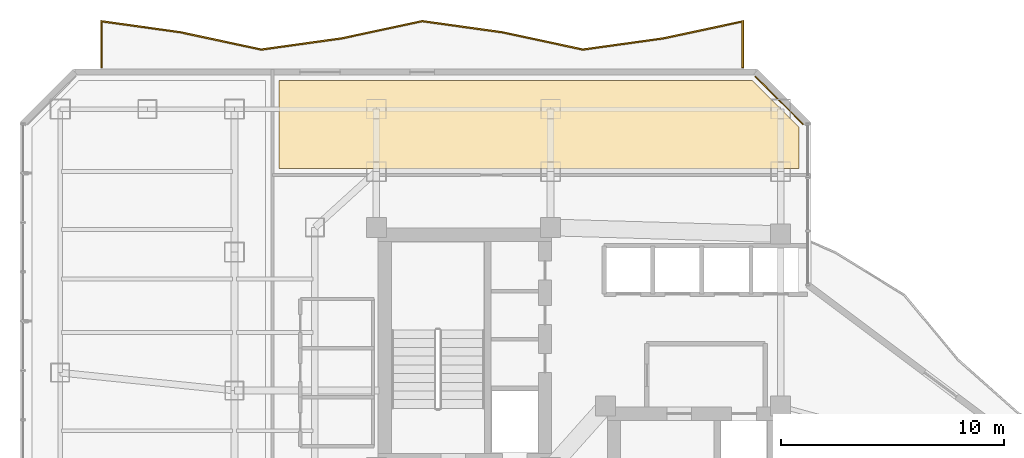
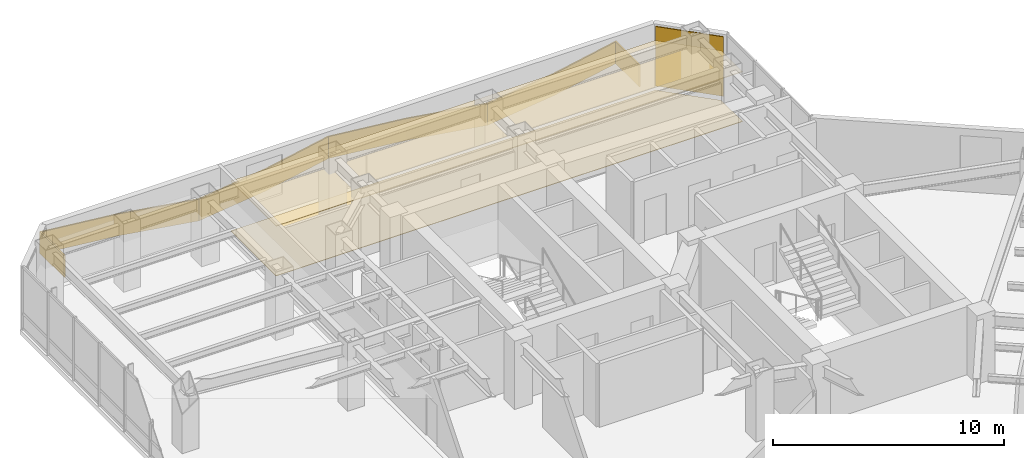
# One storey, part 29 of 29: 3 coverings, 1 railing.
"""IFC4 building model written with IfcOpenShell, lengths in metres."""

from ifc_helpers import new_model, si_unit, direction, frame, origin, origin_2d, place, context, subcontext, project, spatial, polyline, rectangle, outline, extrude, material, layer, layer_set, type_object, element, save


model = new_model("IFC4")

# Units and contexts
model_context = context("Model", 3, precision=1e-05, world=origin(), true_north=direction((0.0, 1.0)))
body_context = subcontext(model_context, "Body", "Model", "MODEL_VIEW")
ifc_project = project(units=[si_unit("LENGTHUNIT", "METRE"), si_unit("AREAUNIT", "SQUARE_METRE"), si_unit("VOLUMEUNIT", "CUBIC_METRE"), si_unit("PLANEANGLEUNIT", "RADIAN"), si_unit("MASSUNIT", "GRAM", prefix="KILO")], contexts=[model_context])

# Site, building, storey
site_placement = place(None, origin())
site = spatial("IfcSite", under=ifc_project, at=site_placement, CompositionType="ELEMENT")
building_placement = place(site_placement, origin())
building = spatial("IfcBuilding", under=site, at=building_placement, Name="Hatsunagi Terrace Concourse", CompositionType="ELEMENT")
storey_placement = place(building_placement, frame((0.0, 0.0, 126.449951171875)))
storey = spatial("IfcBuildingStorey", under=building, at=storey_placement, Name="L33", CompositionType="ELEMENT", Elevation=126.449951171875)

# Railing
ifc_material_1 = material(Name="Laminated Glass and Stainless Steel Guard", Category="steel")
ifc_layer_1 = layer(ifc_material_1, 0.070068359375)
ifc_layer_set_1 = layer_set([ifc_layer_1], Name="BalconyGlassGuardRail_1150")
railing_type = type_object("IfcRailingType", Name="BalconyGlassGuardRail_1150", PredefinedType="BALUSTRADE", material=ifc_layer_set_1)
railing_placement = place(storey_placement, origin())
element("IfcRailing", 1, at=railing_placement, inside=storey, type_object=railing_type, Name="Engawa Balcony Guard GRD-01 L33-BN-1", PredefinedType="BALUSTRADE", context=body_context, shape_type="SweptSolid", body=[
    extrude(outline(polyline([(13.215087890625, 50.449951171875), (13.284912109375, 50.449951171875), (13.284912109375, 52.48876953125), (16.784912109375, 52.00146484375), (20.396728515625, 51.2275390625), (24.01513671875, 51.7314453125), (27.603271484375, 52.49951171875), (31.184814453125, 52.00146484375), (34.796630859375, 51.2275390625), (38.4150390625, 51.7314453125), (41.9150390625, 52.480712890625), (41.9150390625, 50.449951171875), (41.985107421875, 50.449951171875), (41.985107421875, 52.5673828125), (38.40283203125, 51.800537109375), (34.79931640625, 51.298583984375), (31.197021484375, 52.070556640625), (27.6005859375, 52.570556640625), (24.0029296875, 51.800537109375), (20.3994140625, 51.298583984375), (16.797119140625, 52.070556640625), (13.215087890625, 52.569091796875), (13.215087890625, 50.449951171875)])), origin(), (0.0, 0.0, 1.0), 1.150146484375),
])

# Coverings
ifc_material_2 = material(Name="Granite stone paving", Category="masonry")
ifc_layer_2 = layer(ifc_material_2, 0.02490234375)
ifc_layer_set_2 = layer_set([ifc_layer_2], Name="GraniteStoneFlooring_25")
covering_type_1 = type_object("IfcCoveringType", Name="GraniteStoneFlooring_25", PredefinedType="FLOORING", material=ifc_layer_set_2)
covering_1_placement = place(storey_placement, origin())
element("IfcCovering", 2, at=covering_1_placement, inside=storey, type_object=covering_type_1, Name="Finished Flooring L33-2", PredefinedType="FLOORING", context=body_context, shape_type="SweptSolid", body=[
    extrude(outline(polyline([(42.3798828125, 49.8701171875), (21.199951171875, 49.8701171875), (21.199951171875, 45.949951171875), (44.469970703125, 45.949951171875), (44.469970703125, 47.780029296875), (42.3798828125, 49.8701171875)])), origin(), (0.0, 0.0, 1.0), 0.025146484375),
])
ifc_material_3 = material(Name="Unglazed Warm Terracotta Rainscreen Tile", Category="masonry")
ifc_layer_3 = layer(ifc_material_3, 0.044921875)
ifc_layer_set_3 = layer_set([ifc_layer_3], Name="TerracottaRainscreenCladding_45")
covering_type_2 = type_object("IfcCoveringType", Name="TerracottaRainscreenCladding_45", PredefinedType="CLADDING", material=ifc_layer_set_3)
covering_2_placement = place(storey_placement, frame((43.5859375, 48.986083984375, 0.10009765625), z_axis=(0.0, 0.0, 1.0), x_axis=(0.707106781187, -0.707106781187, 0.0)))
element("IfcCovering", 3, at=covering_2_placement, inside=storey, type_object=covering_type_2, Name="Terracotta Rainscreen Cladding L33-12", PredefinedType="CLADDING", context=body_context, shape_type="SweptSolid", body=[
    extrude(rectangle(XDim=3.0380859375, YDim=0.044921875, at=origin_2d()), origin(), (0.0, 0.0, 1.0), 3.139892578125),
])
ifc_material_4 = material(Name="Hardwood timber", Category="wood")
ifc_layer_4 = layer(ifc_material_4, 0.034912109375)
ifc_layer_set_4 = layer_set([ifc_layer_4], Name="TimberBaffleCeiling_35")
covering_type_3 = type_object("IfcCoveringType", Name="TimberBaffleCeiling_35", PredefinedType="CEILING", material=ifc_layer_set_4)
covering_3_placement = place(storey_placement, frame((0.0, 0.0, 2.6201171875)))
element("IfcCovering", 4, at=covering_3_placement, inside=storey, type_object=covering_type_3, Name="Suspended Ceiling L33-2", PredefinedType="CEILING", context=body_context, shape_type="SweptSolid", body=[
    extrude(outline(polyline([(42.3798828125, 49.8701171875), (21.199951171875, 49.8701171875), (21.199951171875, 45.949951171875), (44.469970703125, 45.949951171875), (44.469970703125, 47.780029296875), (42.3798828125, 49.8701171875)])), origin(), (0.0, 0.0, 1.0), 0.034912109375),
])

save(model, "model.ifc")
